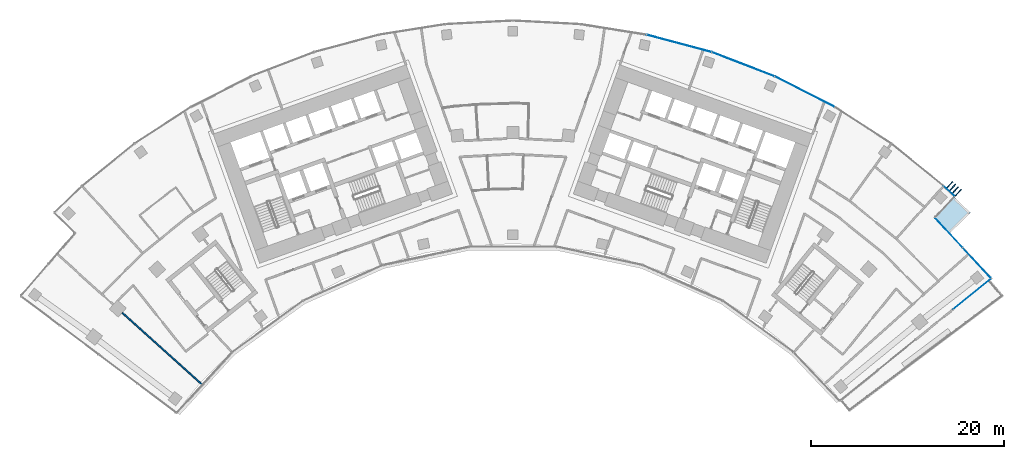
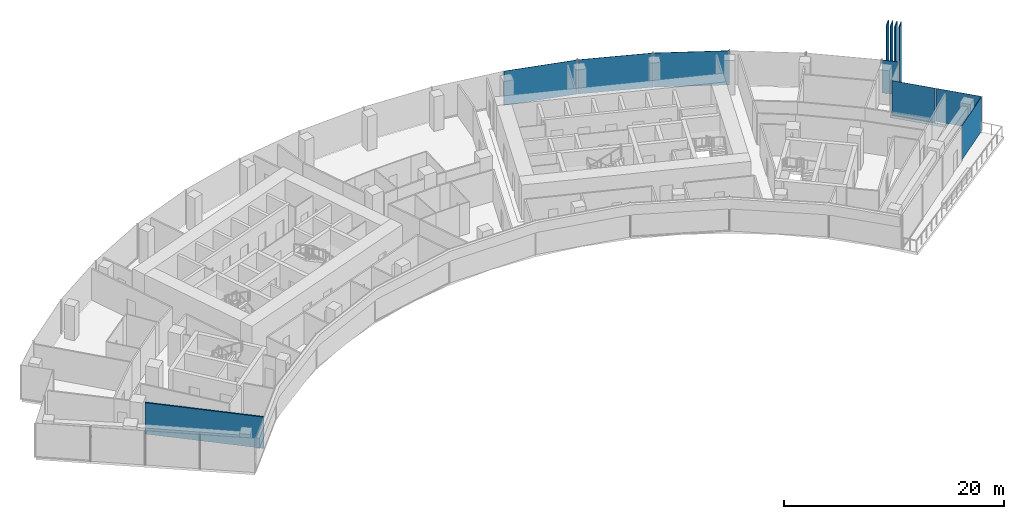
# One storey, part 12 of 21: 11 plates, 1 slab, 1 wall, 3 elements without a shape of their own.
"""IFC4 building model written with IfcOpenShell, lengths in metres."""

from ifc_helpers import new_model, si_unit, direction, frame, frame_2d, origin, origin_2d, place, context, subcontext, project, spatial, polyline, rectangle, outline, extrude, material, layer, layer_set, type_object, element, aggregate, save


model = new_model("IFC4")

# Units and contexts
model_context = context("Model", 3, precision=1e-05, world=origin(), true_north=direction((0.0, 1.0)))
body_context = subcontext(model_context, "Body", "Model", "MODEL_VIEW")
ifc_project = project(units=[si_unit("LENGTHUNIT", "METRE"), si_unit("AREAUNIT", "SQUARE_METRE"), si_unit("VOLUMEUNIT", "CUBIC_METRE"), si_unit("PLANEANGLEUNIT", "RADIAN"), si_unit("MASSUNIT", "GRAM", prefix="KILO")], contexts=[model_context])

# Site, building, storey
site_placement = place(None, origin())
site = spatial("IfcSite", under=ifc_project, at=site_placement, CompositionType="ELEMENT")
building_placement = place(site_placement, origin())
building = spatial("IfcBuilding", under=site, at=building_placement, Name="Stone Belt Terrace Tower", CompositionType="ELEMENT")
storey_placement = place(building_placement, frame((0.0, 0.0, 159.199951171875)))
storey = spatial("IfcBuildingStorey", under=building, at=storey_placement, Name="L38", CompositionType="ELEMENT", Elevation=159.199951171875)

# Curtain wall, plates
ifc_material_1 = material(Name="Aluminium 6063-T6 anodised frame", Category="aluminium")
ifc_layer_1 = layer(ifc_material_1, 0.14990234375)
ifc_layer_set_1 = layer_set([ifc_layer_1], Name="CW-A unitised convex-face curtain wall")
curtain_wall_type_1 = type_object("IfcCurtainWallType", Name="CW-A unitised convex-face curtain wall", PredefinedType="NOTDEFINED", material=ifc_layer_set_1)
curtain_wall_1_placement = place(storey_placement, origin())
curtain_wall_1 = element("IfcCurtainWall", 1, at=curtain_wall_1_placement, inside=storey, type_object=curtain_wall_type_1, Name="CW-A convex face L38", PredefinedType="NOTDEFINED")
ifc_material_2 = material(Name="Clear double glazed unit")
ifc_layer_2 = layer(ifc_material_2, 0.031982421875)
ifc_layer_set_2 = layer_set([ifc_layer_2], Name="CW-A glass panel 32")
plate_type_1 = type_object("IfcPlateType", Name="CW-A glass panel 32", PredefinedType="CURTAIN_PANEL", material=ifc_layer_set_2)
plate_1_placement = place(storey_placement, frame((45.110595703125, 48.9560546875, 0.14013671875), z_axis=(0.0, 0.0, 1.0), x_axis=(-0.735559243492, 0.67746040424, 0.0)))
plate_1 = element("IfcPlate", 2, at=plate_1_placement, type_object=plate_type_1, Name="CW-A panel 1.1", PredefinedType="CURTAIN_PANEL", context=body_context, shape_type="SweptSolid", body=[
    extrude(rectangle(XDim=1.4697265625, YDim=0.031982421875, at=origin_2d()), origin(), (0.0, 0.0, 1.0), 3.659912109375),
])
plate_2_placement = place(storey_placement, frame((30.18310546875, 59.237548828125, 0.0), z_axis=(0.0, 0.0, 1.0), x_axis=(-0.891006524188, 0.45399049974, 0.0)))
plate_2 = element("IfcPlate", 3, at=plate_2_placement, type_object=plate_type_1, Name="CW-A panel 4.1", PredefinedType="CURTAIN_PANEL", context=body_context, shape_type="SweptSolid", body=[
    extrude(rectangle(XDim=6.90087890625, YDim=0.031982421875, at=origin_2d()), origin(), (0.0, 0.0, 1.0), 3.800048828125),
])
plate_3_placement = place(storey_placement, frame((23.82568359375, 62.068115234375, 0.0), z_axis=(0.0, 0.0, 1.0), x_axis=(-0.933580426497, 0.358367949545, 0.0)))
plate_3 = element("IfcPlate", 4, at=plate_3_placement, type_object=plate_type_1, Name="CW-A panel 5.1", PredefinedType="CURTAIN_PANEL", context=body_context, shape_type="SweptSolid", body=[
    extrude(rectangle(XDim=6.90087890625, YDim=0.031982421875, at=origin_2d()), origin(), (0.0, 0.0, 1.0), 3.800048828125),
])
plate_4_placement = place(storey_placement, frame((17.207275390625, 64.218505859375, 0.0), z_axis=(0.0, 0.0, 1.0), x_axis=(-0.965925826289, 0.258819045103, 0.0)))
plate_4 = element("IfcPlate", 5, at=plate_4_placement, type_object=plate_type_1, Name="CW-A panel 6.1", PredefinedType="CURTAIN_PANEL", context=body_context, shape_type="SweptSolid", body=[
    extrude(rectangle(XDim=6.90087890625, YDim=0.031982421875, at=origin_2d()), origin(), (0.0, 0.0, 1.0), 3.800048828125),
])
aggregate(curtain_wall_1, [plate_1, plate_2, plate_3, plate_4])

# Curtain wall, plate
ifc_layer_3 = layer(ifc_material_1, 0.14990234375)
ifc_layer_set_3 = layer_set([ifc_layer_3], Name="CW-C stick curtain wall, horn ends and notches")
curtain_wall_type_2 = type_object("IfcCurtainWallType", Name="CW-C stick curtain wall, horn ends and notches", PredefinedType="NOTDEFINED", material=ifc_layer_set_3)
curtain_wall_2_placement = place(storey_placement, origin())
curtain_wall_2 = element("IfcCurtainWall", 6, at=curtain_wall_2_placement, inside=storey, type_object=curtain_wall_type_2, Name="CW-C end face L38", PredefinedType="NOTDEFINED")
ifc_layer_4 = layer(ifc_material_2, 0.028076171875)
ifc_layer_set_4 = layer_set([ifc_layer_4], Name="CW-C glass panel 28")
plate_type_2 = type_object("IfcPlateType", Name="CW-C glass panel 28", PredefinedType="CURTAIN_PANEL", material=ifc_layer_set_4)
plate_5_placement = place(storey_placement, frame((47.4970703125, 38.3037109375, 0.0), z_axis=(0.0, 0.0, 1.0), x_axis=(0.777643619096, 0.628705337721, 0.0)))
plate_5 = element("IfcPlate", 7, at=plate_5_placement, type_object=plate_type_2, Name="CW-C panel 4.1", PredefinedType="CURTAIN_PANEL", context=body_context, shape_type="SweptSolid", body=[
    extrude(rectangle(XDim=4.974853515625, YDim=0.028076171875, at=origin_2d()), origin(), (0.0, 0.0, 1.0), 3.800048828125),
])
aggregate(curtain_wall_2, [plate_5])

# Curtain wall, plates
curtain_wall_3_placement = place(storey_placement, origin())
curtain_wall_3 = element("IfcCurtainWall", 8, at=curtain_wall_3_placement, inside=storey, type_object=curtain_wall_type_2, Name="CW-C notch face L38", PredefinedType="NOTDEFINED")
plate_6_placement = place(storey_placement, frame((47.98779296875, 41.535400390625, 0.1201171875), z_axis=(0.0, 0.0, 1.0), x_axis=(-0.679848778253, 0.733352329176, 0.0)))
plate_6 = element("IfcPlate", 9, at=plate_6_placement, type_object=plate_type_2, Name="CW-C panel 1.1", PredefinedType="CURTAIN_PANEL", context=body_context, shape_type="SweptSolid", body=[
    extrude(rectangle(XDim=4.268798828125, YDim=0.028076171875, at=origin_2d()), origin(), (0.0, 0.0, 1.0), 3.679931640625),
])
plate_7_placement = place(storey_placement, frame((45.09521484375, 44.655517578125, 0.0), z_axis=(0.0, 0.0, 1.0), x_axis=(-0.679848778253, 0.733352329176, 0.0)))
plate_7 = element("IfcPlate", 10, at=plate_7_placement, type_object=plate_type_2, Name="CW-C panel 2.1", PredefinedType="CURTAIN_PANEL", context=body_context, shape_type="SweptSolid", body=[
    extrude(rectangle(XDim=4.12060546875, YDim=0.028076171875, at=origin_2d()), origin(), (0.0, 0.0, 1.0), 3.800048828125),
])
aggregate(curtain_wall_3, [plate_6, plate_7])

# Slab
ifc_material_3 = material(Name="Concrete B40", Category="concrete")
ifc_layer_5 = layer(ifc_material_3, 0.300048828125)
ifc_layer_set_5 = layer_set([ifc_layer_5], Name="Terrace slab 300 B40")
slab_type = type_object("IfcSlabType", Name="Terrace slab 300 B40", PredefinedType="FLOOR", material=ifc_layer_set_5)
slab_placement = place(storey_placement, frame((0.0, 0.0, -0.300048828125)))
element("IfcSlab", 11, at=slab_placement, inside=storey, type_object=slab_type, Name="Terrace slab L38-notch_roof-2", PredefinedType="FLOOR", context=body_context, shape_type="SweptSolid", body=[
    extrude(outline(polyline([(45.19384765625, 44.606689453125), (47.328857421875, 46.714111328125), (45.580810546875, 48.38427734375), (43.542236328125, 46.220458984375), (47.176513671875, 42.300048828125), (47.17919921875, 42.302490234375), (45.19384765625, 44.606689453125)])), origin(), (0.0, 0.0, 1.0), 0.300048828125),
])

# Plates
ifc_material_4 = material(Name="Terracotta coloured glazed ceramic", Category="masonry")
ifc_layer_6 = layer(ifc_material_4, 0.10009765625)
ifc_layer_set_6 = layer_set([ifc_layer_6], Name="Terracotta fin 100 x 900")
plate_type_3 = type_object("IfcPlateType", Name="Terracotta fin 100 x 900", PredefinedType="SHEET", material=ifc_layer_set_6)
for number, where, z_axis, x_axis, name in (
    (12, (46.0615234375, 48.7939453125, 0.0), (0.0, 0.0, 1.0), (0.67746040424, 0.735559243492, 0.0), "FIN L38 1.1"),
    (13, (45.771728515625, 49.06103515625, 0.0), (0.0, 0.0, 1.0), (0.67746040424, 0.735559243492, 0.0), "FIN L38 1.2"),
    (14, (45.481689453125, 49.328125, 0.0), (0.0, 0.0, 1.0), (0.67746040424, 0.735559243492, 0.0), "FIN L38 1.3"),
    (15, (45.19189453125, 49.594970703125, 0.0), (0.0, 0.0, 1.0), (0.67746040424, 0.735559243492, 0.0), "FIN L38 1.4"),
):
    element("IfcPlate", number, at=place(storey_placement, frame(where, z_axis=z_axis, x_axis=x_axis)), inside=storey, type_object=plate_type_3, Name=name, PredefinedType="SHEET", context=body_context, shape_type="SweptSolid", body=[
        extrude(rectangle(XDim=0.89990234375, YDim=0.10009765625, at=origin_2d()), origin(), (0.0, 0.0, 1.0), 7.60009765625),
    ])

# Wall
ifc_material_5 = material(Name="Gypsum board partition")
ifc_layer_7 = layer(ifc_material_5, 0.14990234375)
ifc_layer_set_7 = layer_set([ifc_layer_7], Name="PARTITION 150 EI 60")
wall_type = type_object("IfcWallType", Name="PARTITION 150 EI 60", PredefinedType="PARTITIONING", material=ifc_layer_set_7)
wall_placement = place(storey_placement, frame((-40.385986328125, 36.3642578125, 0.0), z_axis=(0.0, 0.0, 1.0), x_axis=(0.743128216334, -0.669149052221, 0.0)))
element("IfcWall", 16, at=wall_placement, inside=storey, type_object=wall_type, Name="L38/wall/i043", PredefinedType="PARTITIONING", context=body_context, shape_type="SweptSolid", body=[
    extrude(rectangle(XDim=11.048828125, YDim=0.14990234375, at=frame_2d((5.5244140625, 0.0))), origin(), (0.0, 0.0, 1.0), 3.47998046875),
])

save(model, "model.ifc")
